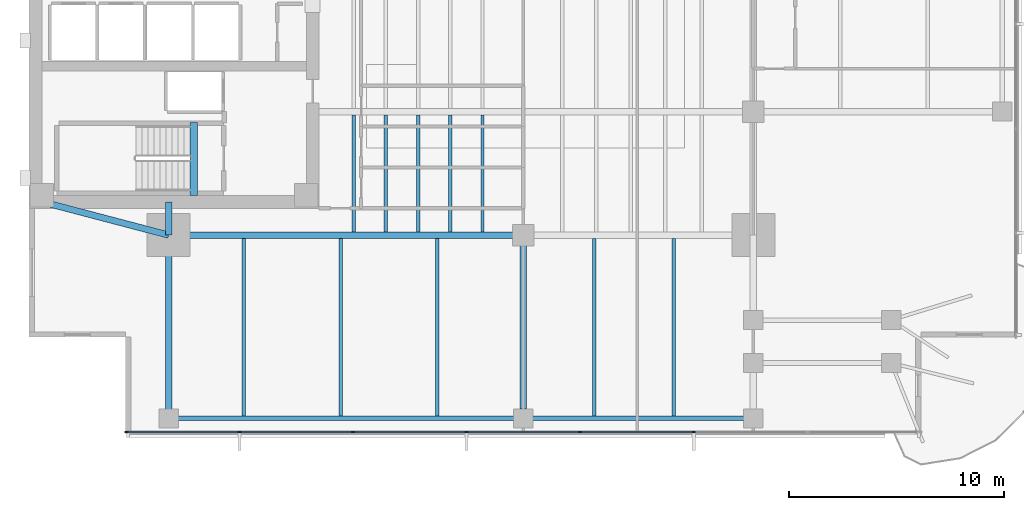
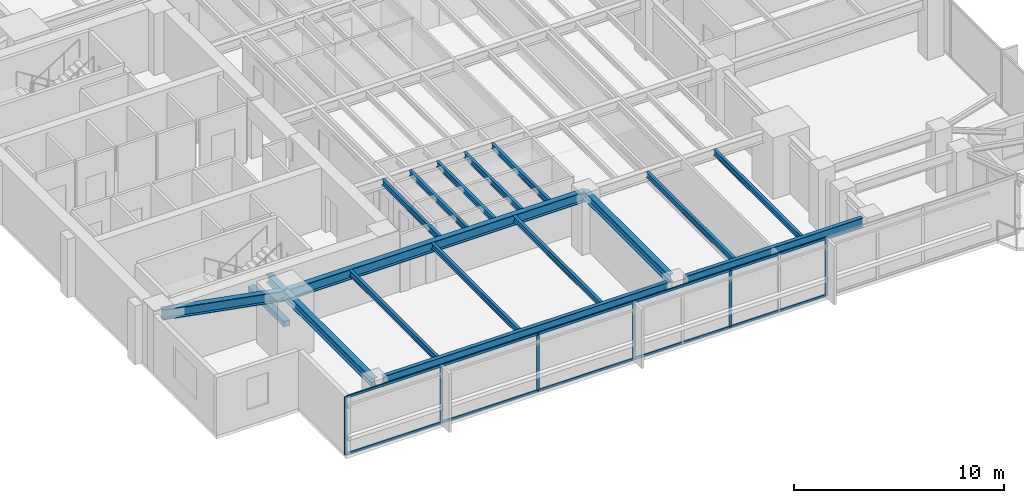
# One storey, part 2 of 14: 18 beams, 16 members, 1 element without a shape of its own.
"""IFC4 building model written with IfcOpenShell, lengths in metres."""

from ifc_helpers import new_model, si_unit, direction, frame, origin, origin_2d, place, context, subcontext, project, spatial, rectangle, i_section, extrude, material, layer, layer_set, material_profile, profile_set, type_object, element, aggregate, save


model = new_model("IFC4")

# Units and contexts
model_context = context("Model", 3, precision=1e-05, world=origin(), true_north=direction((0.0, 1.0)))
body_context = subcontext(model_context, "Body", "Model", "MODEL_VIEW")
ifc_project = project(units=[si_unit("LENGTHUNIT", "METRE"), si_unit("AREAUNIT", "SQUARE_METRE"), si_unit("VOLUMEUNIT", "CUBIC_METRE"), si_unit("PLANEANGLEUNIT", "RADIAN"), si_unit("MASSUNIT", "GRAM", prefix="KILO")], contexts=[model_context])

# Site, building, storey
site_placement = place(None, origin())
site = spatial("IfcSite", under=ifc_project, at=site_placement, CompositionType="ELEMENT")
building_placement = place(site_placement, origin())
building = spatial("IfcBuilding", under=site, at=building_placement, Name="Kinhvarn Gate Tower", CompositionType="ELEMENT")
storey_placement = place(building_placement, frame((0.0, 0.0, 120.0)))
storey = spatial("IfcBuildingStorey", under=building, at=storey_placement, Name="L31", CompositionType="ELEMENT", Elevation=120.0)

# Beam
ifc_material_1 = material(Name="Concrete C50/60", Category="concrete")
ifc_material_profile_1 = material_profile(ifc_material_1, rectangle(XDim=0.340087890625, YDim=0.320068359375, at=origin_2d()), Name="RC 340x320")
ifc_profile_set_1 = profile_set([ifc_material_profile_1], Name="Concrete C50/60")
beam_type_1 = type_object("IfcBeamType", Name="BM-LND-500", PredefinedType="BEAM", material=ifc_profile_set_1)
beam_1_placement = place(storey_placement, frame((12.1650390625, 14.60009765625, -0.159912109375), z_axis=(0.0, 1.0, 0.0), x_axis=(-1.0, 0.0, 0.0)))
element("IfcBeam", 1, at=beam_1_placement, inside=storey, type_object=beam_type_1, Name="Stair ST1 Landing Nosing Beam (L31)", PredefinedType="BEAM", context=body_context, shape_type="SweptSolid", body=[
    extrude(rectangle(XDim=0.340087890625, YDim=0.320068359375, at=origin_2d()), origin(), (0.0, 0.0, 1.0), 3.39990234375),
])

# Curtain wall, members
ifc_material_2 = material(Name="Anodised aluminium AW-6063", Category="aluminium")
ifc_layer = layer(ifc_material_2, 0.179931640625)
ifc_layer_set = layer_set([ifc_layer], Name="Anodised aluminium AW-6063")
curtain_wall_type = type_object("IfcCurtainWallType", Name="CW-SYS-3", PredefinedType="NOTDEFINED", material=ifc_layer_set)
curtain_wall_placement = place(storey_placement, origin())
curtain_wall = element("IfcCurtainWall", 2, at=curtain_wall_placement, inside=storey, type_object=curtain_wall_type, Name="Curtain Wall CW3 (L31)", PredefinedType="NOTDEFINED")
ifc_material_profile_2 = material_profile(ifc_material_2, rectangle(XDim=0.06494140625, YDim=0.159912109375, at=origin_2d()), Name="ALU 65x160")
ifc_profile_set_2 = profile_set([ifc_material_profile_2], Name="Anodised aluminium AW-6063")
member_type_1 = type_object("IfcMemberType", Name="CW-MUL-160", PredefinedType="MULLION", material=ifc_profile_set_2)
member_1_placement = place(storey_placement, frame((9.032470703125, 3.590087890625, 0.0), z_axis=(0.0, 0.0, 1.0), x_axis=(0.0, 1.0, 0.0)))
member_1 = element("IfcMember", 3, at=member_1_placement, type_object=member_type_1, Name="CW3 mullion 1", PredefinedType="MULLION", context=body_context, shape_type="SweptSolid", body=[
    extrude(rectangle(XDim=0.06494140625, YDim=0.159912109375, at=origin_2d()), origin(), (0.0, 0.0, 1.0), 3.3701171875),
])
member_2_placement = place(storey_placement, frame((14.28564453125, 3.590087890625, 0.0), z_axis=(0.0, 0.0, 1.0), x_axis=(0.0, 1.0, 0.0)))
member_2 = element("IfcMember", 4, at=member_2_placement, type_object=member_type_1, Name="CW3 mullion 2", PredefinedType="MULLION", context=body_context, shape_type="SweptSolid", body=[
    extrude(rectangle(XDim=0.06494140625, YDim=0.159912109375, at=origin_2d()), origin(), (0.0, 0.0, 1.0), 3.3701171875),
])
member_3_placement = place(storey_placement, frame((19.571533203125, 3.590087890625, 0.0), z_axis=(0.0, 0.0, 1.0), x_axis=(0.0, 1.0, 0.0)))
member_3 = element("IfcMember", 5, at=member_3_placement, type_object=member_type_1, Name="CW3 mullion 3", PredefinedType="MULLION", context=body_context, shape_type="SweptSolid", body=[
    extrude(rectangle(XDim=0.06494140625, YDim=0.159912109375, at=origin_2d()), origin(), (0.0, 0.0, 1.0), 3.3701171875),
])
member_4_placement = place(storey_placement, frame((24.857177734375, 3.590087890625, 0.0), z_axis=(0.0, 0.0, 1.0), x_axis=(0.0, 1.0, 0.0)))
member_4 = element("IfcMember", 6, at=member_4_placement, type_object=member_type_1, Name="CW3 mullion 4", PredefinedType="MULLION", context=body_context, shape_type="SweptSolid", body=[
    extrude(rectangle(XDim=0.06494140625, YDim=0.159912109375, at=origin_2d()), origin(), (0.0, 0.0, 1.0), 3.3701171875),
])
member_5_placement = place(storey_placement, frame((30.142822265625, 3.590087890625, 0.0), z_axis=(0.0, 0.0, 1.0), x_axis=(0.0, 1.0, 0.0)))
member_5 = element("IfcMember", 7, at=member_5_placement, type_object=member_type_1, Name="CW3 mullion 5", PredefinedType="MULLION", context=body_context, shape_type="SweptSolid", body=[
    extrude(rectangle(XDim=0.06494140625, YDim=0.159912109375, at=origin_2d()), origin(), (0.0, 0.0, 1.0), 3.3701171875),
])
member_6_placement = place(storey_placement, frame((35.428466796875, 3.590087890625, 0.0), z_axis=(0.0, 0.0, 1.0), x_axis=(0.0, 1.0, 0.0)))
member_6 = element("IfcMember", 8, at=member_6_placement, type_object=member_type_1, Name="CW3 mullion 6", PredefinedType="MULLION", context=body_context, shape_type="SweptSolid", body=[
    extrude(rectangle(XDim=0.06494140625, YDim=0.159912109375, at=origin_2d()), origin(), (0.0, 0.0, 1.0), 3.3701171875),
])
ifc_material_profile_3 = material_profile(ifc_material_2, rectangle(XDim=0.070068359375, YDim=0.139892578125, at=origin_2d()), Name="ALU 70x140")
ifc_profile_set_3 = profile_set([ifc_material_profile_3], Name="Anodised aluminium AW-6063")
member_type_2 = type_object("IfcMemberType", Name="CW-TRN-140", PredefinedType="USERDEFINED", material=ifc_profile_set_3)
member_7_placement = place(storey_placement, frame((9.06494140625, 3.590087890625, 0.034912109375), z_axis=(1.0, 0.0, 0.0), x_axis=(0.0, 1.0, 0.0)))
member_7 = element("IfcMember", 9, at=member_7_placement, type_object=member_type_2, Name="CW3 transom 1.1", ObjectType="TRANSOM", PredefinedType="USERDEFINED", context=body_context, shape_type="SweptSolid", body=[
    extrude(rectangle(XDim=0.070068359375, YDim=0.139892578125, at=origin_2d()), origin(), (0.0, 0.0, 1.0), 5.188232421875),
])
member_8_placement = place(storey_placement, frame((9.06494140625, 3.590087890625, 3.3349609375), z_axis=(1.0, 0.0, 0.0), x_axis=(0.0, 1.0, 0.0)))
member_8 = element("IfcMember", 10, at=member_8_placement, type_object=member_type_2, Name="CW3 transom 1.2", ObjectType="TRANSOM", PredefinedType="USERDEFINED", context=body_context, shape_type="SweptSolid", body=[
    extrude(rectangle(XDim=0.070068359375, YDim=0.139892578125, at=origin_2d()), origin(), (0.0, 0.0, 1.0), 5.188232421875),
])
member_9_placement = place(storey_placement, frame((14.318115234375, 3.590087890625, 0.034912109375), z_axis=(1.0, 0.0, 0.0), x_axis=(0.0, 1.0, 0.0)))
member_9 = element("IfcMember", 11, at=member_9_placement, type_object=member_type_2, Name="CW3 transom 2.1", ObjectType="TRANSOM", PredefinedType="USERDEFINED", context=body_context, shape_type="SweptSolid", body=[
    extrude(rectangle(XDim=0.070068359375, YDim=0.139892578125, at=origin_2d()), origin(), (0.0, 0.0, 1.0), 5.220703125),
])
member_10_placement = place(storey_placement, frame((14.318115234375, 3.590087890625, 3.3349609375), z_axis=(1.0, 0.0, 0.0), x_axis=(0.0, 1.0, 0.0)))
member_10 = element("IfcMember", 12, at=member_10_placement, type_object=member_type_2, Name="CW3 transom 2.2", ObjectType="TRANSOM", PredefinedType="USERDEFINED", context=body_context, shape_type="SweptSolid", body=[
    extrude(rectangle(XDim=0.070068359375, YDim=0.139892578125, at=origin_2d()), origin(), (0.0, 0.0, 1.0), 5.220703125),
])
member_11_placement = place(storey_placement, frame((19.60400390625, 3.590087890625, 0.034912109375), z_axis=(1.0, 0.0, 0.0), x_axis=(0.0, 1.0, 0.0)))
member_11 = element("IfcMember", 13, at=member_11_placement, type_object=member_type_2, Name="CW3 transom 3.1", ObjectType="TRANSOM", PredefinedType="USERDEFINED", context=body_context, shape_type="SweptSolid", body=[
    extrude(rectangle(XDim=0.070068359375, YDim=0.139892578125, at=origin_2d()), origin(), (0.0, 0.0, 1.0), 5.220703125),
])
member_12_placement = place(storey_placement, frame((19.60400390625, 3.590087890625, 3.3349609375), z_axis=(1.0, 0.0, 0.0), x_axis=(0.0, 1.0, 0.0)))
member_12 = element("IfcMember", 14, at=member_12_placement, type_object=member_type_2, Name="CW3 transom 3.2", ObjectType="TRANSOM", PredefinedType="USERDEFINED", context=body_context, shape_type="SweptSolid", body=[
    extrude(rectangle(XDim=0.070068359375, YDim=0.139892578125, at=origin_2d()), origin(), (0.0, 0.0, 1.0), 5.220703125),
])
member_13_placement = place(storey_placement, frame((24.8896484375, 3.590087890625, 0.034912109375), z_axis=(1.0, 0.0, 0.0), x_axis=(0.0, 1.0, 0.0)))
member_13 = element("IfcMember", 15, at=member_13_placement, type_object=member_type_2, Name="CW3 transom 4.1", ObjectType="TRANSOM", PredefinedType="USERDEFINED", context=body_context, shape_type="SweptSolid", body=[
    extrude(rectangle(XDim=0.070068359375, YDim=0.139892578125, at=origin_2d()), origin(), (0.0, 0.0, 1.0), 5.220703125),
])
member_14_placement = place(storey_placement, frame((24.8896484375, 3.590087890625, 3.3349609375), z_axis=(1.0, 0.0, 0.0), x_axis=(0.0, 1.0, 0.0)))
member_14 = element("IfcMember", 16, at=member_14_placement, type_object=member_type_2, Name="CW3 transom 4.2", ObjectType="TRANSOM", PredefinedType="USERDEFINED", context=body_context, shape_type="SweptSolid", body=[
    extrude(rectangle(XDim=0.070068359375, YDim=0.139892578125, at=origin_2d()), origin(), (0.0, 0.0, 1.0), 5.220703125),
])
member_15_placement = place(storey_placement, frame((30.17529296875, 3.590087890625, 0.034912109375), z_axis=(1.0, 0.0, 0.0), x_axis=(0.0, 1.0, 0.0)))
member_15 = element("IfcMember", 17, at=member_15_placement, type_object=member_type_2, Name="CW3 transom 5.1", ObjectType="TRANSOM", PredefinedType="USERDEFINED", context=body_context, shape_type="SweptSolid", body=[
    extrude(rectangle(XDim=0.070068359375, YDim=0.139892578125, at=origin_2d()), origin(), (0.0, 0.0, 1.0), 5.220703125),
])
member_16_placement = place(storey_placement, frame((30.17529296875, 3.590087890625, 3.3349609375), z_axis=(1.0, 0.0, 0.0), x_axis=(0.0, 1.0, 0.0)))
member_16 = element("IfcMember", 18, at=member_16_placement, type_object=member_type_2, Name="CW3 transom 5.2", ObjectType="TRANSOM", PredefinedType="USERDEFINED", context=body_context, shape_type="SweptSolid", body=[
    extrude(rectangle(XDim=0.070068359375, YDim=0.139892578125, at=origin_2d()), origin(), (0.0, 0.0, 1.0), 5.220703125),
])
aggregate(curtain_wall, [member_1, member_2, member_3, member_4, member_5, member_6, member_7, member_8, member_9, member_10, member_11, member_12, member_13, member_14, member_15, member_16])

# Beams
ifc_material_3 = material(Name="Steel S355", Category="steel")
ifc_material_profile_4 = material_profile(ifc_material_3, i_section(OverallWidth=0.300048828125, OverallDepth=0.5, WebThickness=0.014404296875, FlangeThickness=0.028076171875, at=origin_2d()), Name="HEB 500")
ifc_profile_set_4 = profile_set([ifc_material_profile_4], Name="Steel S355")
beam_type_2 = type_object("IfcBeamType", Name="STL-HEB500", PredefinedType="BEAM", material=ifc_profile_set_4)
beam_2_placement = place(storey_placement, frame((11.0, 4.219970703125, 3.1201171875), z_axis=(0.0, 1.0, 0.0), x_axis=(-1.0, 0.0, 0.0)))
element("IfcBeam", 19, at=beam_2_placement, inside=storey, type_object=beam_type_2, Name="Floor Beam PG-14 (L31 MCW-S)", PredefinedType="BEAM", context=body_context, shape_type="SweptSolid", body=[
    extrude(i_section(OverallWidth=0.300048828125, OverallDepth=0.5, WebThickness=0.014404296875, FlangeThickness=0.028076171875, at=origin_2d()), origin(), (0.0, 0.0, 1.0), 8.530029296875),
])
beam_3_placement = place(storey_placement, frame((11.0, 12.75, 3.1201171875), z_axis=(0.0, 1.0, 0.0), x_axis=(-1.0, 0.0, 0.0)))
element("IfcBeam", 20, at=beam_3_placement, inside=storey, type_object=beam_type_2, Name="Floor Beam PG-14 (L31 MCW-CS)", PredefinedType="BEAM", context=body_context, shape_type="SweptSolid", body=[
    extrude(i_section(OverallWidth=0.300048828125, OverallDepth=0.5, WebThickness=0.014404296875, FlangeThickness=0.028076171875, at=origin_2d()), origin(), (0.0, 0.0, 1.0), 1.550048828125),
])
beam_4_placement = place(storey_placement, frame((27.5, 4.655029296875, 3.1201171875), z_axis=(0.0, 1.0, 0.0), x_axis=(-1.0, 0.0, 0.0)))
element("IfcBeam", 21, at=beam_4_placement, inside=storey, type_object=beam_type_2, Name="Floor Beam PG-14 (L31 SP27-S-TIE)", PredefinedType="BEAM", context=body_context, shape_type="SweptSolid", body=[
    extrude(i_section(OverallWidth=0.300048828125, OverallDepth=0.5, WebThickness=0.014404296875, FlangeThickness=0.028076171875, at=origin_2d()), origin(), (0.0, 0.0, 1.0), 8.094970703125),
])
ifc_material_profile_5 = material_profile(ifc_material_3, i_section(OverallWidth=0.300048828125, OverallDepth=0.60009765625, WebThickness=0.015380859375, FlangeThickness=0.030029296875, at=origin_2d()), Name="HEB 600")
ifc_profile_set_5 = profile_set([ifc_material_profile_5], Name="Steel S355")
beam_type_3 = type_object("IfcBeamType", Name="STL-HEB600", PredefinedType="BEAM", material=ifc_profile_set_5)
beam_5_placement = place(storey_placement, frame((11.0, 12.75, 3.070068359375), z_axis=(1.0, 0.0, 0.0), x_axis=(0.0, 1.0, 0.0)))
element("IfcBeam", 22, at=beam_5_placement, inside=storey, type_object=beam_type_3, Name="Floor Beam PG-16 (L31 MG-S1)", PredefinedType="BEAM", context=body_context, shape_type="SweptSolid", body=[
    extrude(i_section(OverallWidth=0.300048828125, OverallDepth=0.60009765625, WebThickness=0.015380859375, FlangeThickness=0.030029296875, at=origin_2d()), origin(), (0.0, 0.0, 1.0), 16.5),
])
beam_6_placement = place(storey_placement, frame((5.10009765625, 14.300048828125, 3.070068359375), z_axis=(0.967177623957, -0.254101246979, 0.0), x_axis=(0.254101246979, 0.967177623957, 0.0)))
element("IfcBeam", 23, at=beam_6_placement, inside=storey, type_object=beam_type_3, Name="Floor Beam PG-16 (L31 MG-SW-DIAG)", PredefinedType="BEAM", context=body_context, shape_type="SweptSolid", body=[
    extrude(i_section(OverallWidth=0.300048828125, OverallDepth=0.60009765625, WebThickness=0.015380859375, FlangeThickness=0.030029296875, at=origin_2d()), origin(), (0.0, 0.0, 1.0), 6.10009765625),
])
ifc_material_profile_6 = material_profile(ifc_material_3, i_section(OverallWidth=0.159912109375, OverallDepth=0.330078125, WebThickness=0.007568359375, FlangeThickness=0.011474609375, at=origin_2d()), Name="IPE 330")
ifc_profile_set_6 = profile_set([ifc_material_profile_6], Name="Steel S355")
beam_type_4 = type_object("IfcBeamType", Name="STL-IPE330", PredefinedType="JOIST", material=ifc_profile_set_6)
for number, where, z_axis, x_axis, name in (
    (24, (19.60009765625, 12.89990234375, 3.205078125), (0.0, 1.0, 0.0), (-1.0, 0.0, 0.0), "Floor Joist SB-03 (L31 JC-X196-0)"),
    (25, (21.10009765625, 12.89990234375, 3.205078125), (0.0, 1.0, 0.0), (-1.0, 0.0, 0.0), "Floor Joist SB-03 (L31 JC-X211-0)"),
    (26, (22.60009765625, 12.89990234375, 3.205078125), (0.0, 1.0, 0.0), (-1.0, 0.0, 0.0), "Floor Joist SB-03 (L31 JC-X226-0)"),
    (27, (24.10009765625, 12.89990234375, 3.205078125), (0.0, 1.0, 0.0), (-1.0, 0.0, 0.0), "Floor Joist SB-03 (L31 JC-X241-0)"),
    (28, (25.60009765625, 12.89990234375, 3.205078125), (0.0, 1.0, 0.0), (-1.0, 0.0, 0.0), "Floor Joist SB-03 (L31 JC-X256-0)"),
):
    element("IfcBeam", number, at=place(storey_placement, frame(where, z_axis=z_axis, x_axis=x_axis)), inside=storey, type_object=beam_type_4, Name=name, PredefinedType="JOIST", context=body_context, shape_type="SweptSolid", body=[
        extrude(i_section(OverallWidth=0.159912109375, OverallDepth=0.330078125, WebThickness=0.007568359375, FlangeThickness=0.011474609375, at=origin_2d()), origin(), (0.0, 0.0, 1.0), 5.4501953125),
    ])
for number, where, z_axis, x_axis, name in (
    (29, (14.5, 4.324951171875, 3.205078125), (0.0, 1.0, 0.0), (-1.0, 0.0, 0.0), "Floor Joist SB-03 (L31 JS-X145)"),
    (30, (19.0, 4.324951171875, 3.205078125), (0.0, 1.0, 0.0), (-1.0, 0.0, 0.0), "Floor Joist SB-03 (L31 JS-X190)"),
    (31, (23.5, 4.324951171875, 3.205078125), (0.0, 1.0, 0.0), (-1.0, 0.0, 0.0), "Floor Joist SB-03 (L31 JS-X235)"),
    (32, (30.800048828125, 4.324951171875, 3.205078125), (0.0, 1.0, 0.0), (-1.0, 0.0, 0.0), "Floor Joist SB-03 (L31 JS-X308)"),
    (33, (34.5, 4.324951171875, 3.205078125), (0.0, 1.0, 0.0), (-1.0, 0.0, 0.0), "Floor Joist SB-03 (L31 JS-X345)"),
):
    element("IfcBeam", number, at=place(storey_placement, frame(where, z_axis=z_axis, x_axis=x_axis)), inside=storey, type_object=beam_type_4, Name=name, PredefinedType="JOIST", context=body_context, shape_type="SweptSolid", body=[
        extrude(i_section(OverallWidth=0.159912109375, OverallDepth=0.330078125, WebThickness=0.007568359375, FlangeThickness=0.011474609375, at=origin_2d()), origin(), (0.0, 0.0, 1.0), 8.275146484375),
    ])
ifc_material_profile_7 = material_profile(ifc_material_3, i_section(OverallWidth=0.2099609375, OverallDepth=0.550048828125, WebThickness=0.010986328125, FlangeThickness=0.01708984375, at=origin_2d()), Name="IPE 550")
ifc_profile_set_7 = profile_set([ifc_material_profile_7], Name="Steel S355")
beam_type_5 = type_object("IfcBeamType", Name="STL-IPE550", PredefinedType="SPANDREL", material=ifc_profile_set_7)
beam_7_placement = place(storey_placement, frame((11.43505859375, 4.219970703125, 3.094970703125), z_axis=(1.0, 0.0, 0.0), x_axis=(0.0, 1.0, 0.0)))
element("IfcBeam", 34, at=beam_7_placement, inside=storey, type_object=beam_type_5, Name="Floor Spandrel SB-08 (L31 SP-S1)", PredefinedType="SPANDREL", context=body_context, shape_type="SweptSolid", body=[
    extrude(i_section(OverallWidth=0.2099609375, OverallDepth=0.550048828125, WebThickness=0.010986328125, FlangeThickness=0.01708984375, at=origin_2d()), origin(), (0.0, 0.0, 1.0), 15.6298828125),
])
beam_8_placement = place(storey_placement, frame((27.93505859375, 4.219970703125, 3.094970703125), z_axis=(1.0, 0.0, 0.0), x_axis=(0.0, 1.0, 0.0)))
element("IfcBeam", 35, at=beam_8_placement, inside=storey, type_object=beam_type_5, Name="Floor Spandrel SB-08 (L31 SP-S2)", PredefinedType="SPANDREL", context=body_context, shape_type="SweptSolid", body=[
    extrude(i_section(OverallWidth=0.2099609375, OverallDepth=0.550048828125, WebThickness=0.010986328125, FlangeThickness=0.01708984375, at=origin_2d()), origin(), (0.0, 0.0, 1.0), 9.829833984375),
])

save(model, "model.ifc")
